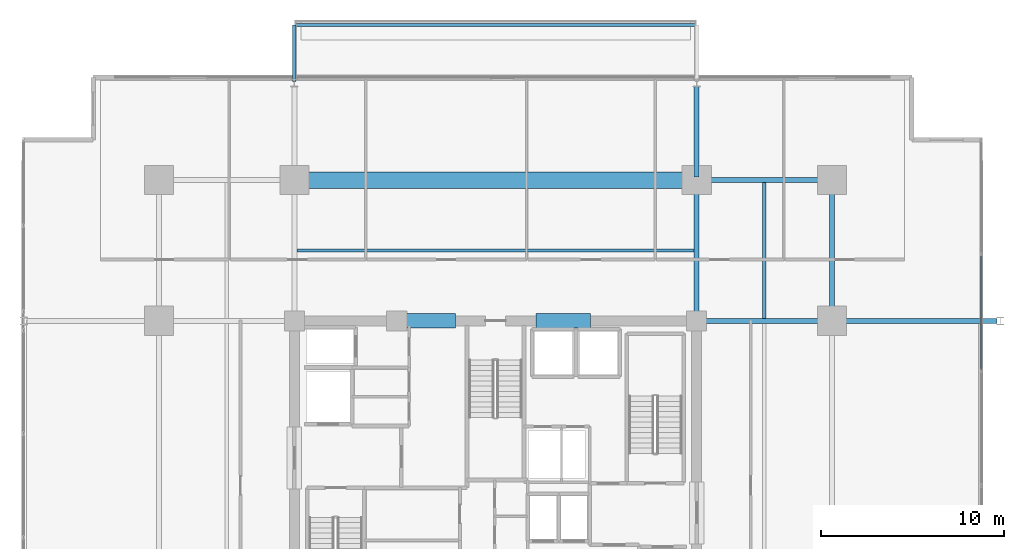
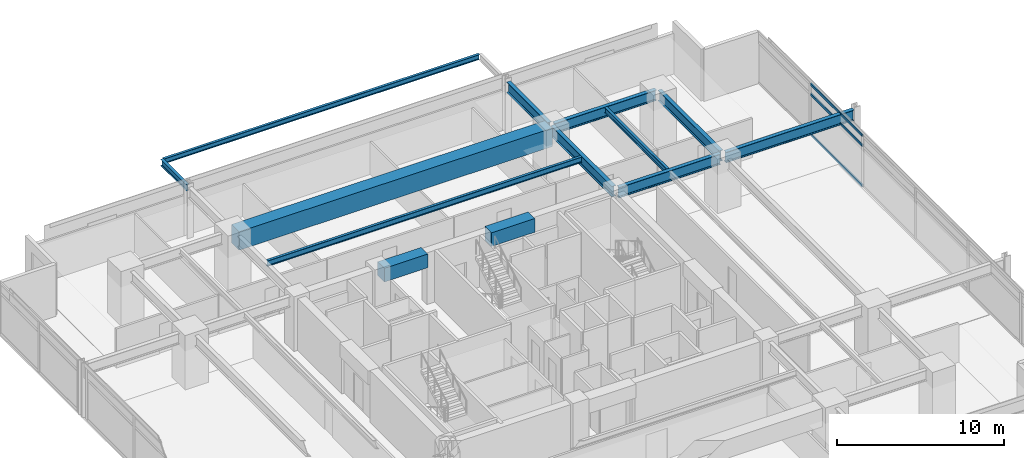
# One storey, part 12 of 23: 13 beams, 3 members, 1 element without a shape of its own.
"""IFC4 building model written with IfcOpenShell, lengths in metres."""

from ifc_helpers import new_model, si_unit, direction, frame, origin, origin_2d, place, context, subcontext, project, spatial, rectangle, hollow_rectangle, i_section, extrude, material, material_profile, profile_set, type_object, element, aggregate, save


model = new_model("IFC4")

# Units and contexts
model_context = context("Model", 3, precision=1e-05, world=origin(), true_north=direction((0.0, 1.0)))
body_context = subcontext(model_context, "Body", "Model", "MODEL_VIEW")
ifc_project = project(units=[si_unit("LENGTHUNIT", "METRE"), si_unit("AREAUNIT", "SQUARE_METRE"), si_unit("VOLUMEUNIT", "CUBIC_METRE"), si_unit("PLANEANGLEUNIT", "RADIAN"), si_unit("MASSUNIT", "GRAM", prefix="KILO")], contexts=[model_context])

# Site, building, storey
site_placement = place(None, origin())
site = spatial("IfcSite", under=ifc_project, at=site_placement, CompositionType="ELEMENT")
building_placement = place(site_placement, origin())
building = spatial("IfcBuilding", under=site, at=building_placement, Name="Kovane Verandah Tower", CompositionType="ELEMENT")
storey_placement = place(building_placement, frame((0.0, 0.0, 148.39990234375)))
storey = spatial("IfcBuildingStorey", under=building, at=storey_placement, Name="L34", CompositionType="ELEMENT", Elevation=148.39990234375)

# Beams
ifc_material_1 = material(Name="Concrete C60/75", Category="concrete")
ifc_material_profile_1 = material_profile(ifc_material_1, rectangle(XDim=0.800048828125, YDim=1.0, at=origin_2d()), Name="RCB800x1000")
ifc_profile_set_1 = profile_set([ifc_material_profile_1], Name="Concrete C60/75")
beam_type_1 = type_object("IfcBeamType", Name="BM-LINTEL-800x1000", PredefinedType="LINTEL", material=ifc_profile_set_1)
for number, where, z_axis, x_axis, name in (
    (1, (34.800048828125, 36.5, 3.275146484375), (1.0, 0.0, 0.0), (0.0, 1.0, 0.0), "L34 Core Coupling Lintel CL-N1"),
    (2, (42.199951171875, 36.5, 3.275146484375), (1.0, 0.0, 0.0), (0.0, 1.0, 0.0), "L34 Core Coupling Lintel CL-N2"),
):
    element("IfcBeam", number, at=place(storey_placement, frame(where, z_axis=z_axis, x_axis=x_axis)), inside=storey, type_object=beam_type_1, Name=name, PredefinedType="LINTEL", context=body_context, shape_type="SweptSolid", body=[
        extrude(rectangle(XDim=0.800048828125, YDim=1.0, at=origin_2d()), origin(), (0.0, 0.0, 1.0), 3.0),
    ])
ifc_material_2 = material(Name="Concrete C80/95", Category="concrete")
ifc_material_profile_2 = material_profile(ifc_material_2, rectangle(XDim=0.89990234375, YDim=1.35009765625, at=origin_2d()), Name="RCB900x1350")
ifc_profile_set_2 = profile_set([ifc_material_profile_2], Name="Concrete C80/95")
beam_type_2 = type_object("IfcBeamType", Name="BM-TR-900x1350", PredefinedType="BEAM", material=ifc_profile_set_2)
beam_1_placement = place(storey_placement, frame((29.179931640625, 44.199951171875, 3.10009765625), z_axis=(1.0, 0.0, 0.0), x_axis=(0.0, 1.0, 0.0)))
element("IfcBeam", 3, at=beam_1_placement, inside=storey, type_object=beam_type_2, Name="L34 Primary Tower Girder G-RN2", PredefinedType="BEAM", context=body_context, shape_type="SweptSolid", body=[
    extrude(rectangle(XDim=0.89990234375, YDim=1.35009765625, at=origin_2d()), origin(), (0.0, 0.0, 1.0), 21.64013671875),
])
ifc_material_3 = material(Name="Steel S355", Category="steel")
ifc_material_profile_3 = material_profile(ifc_material_3, i_section(OverallWidth=0.26806640625, OverallDepth=0.769775390625, WebThickness=0.015625, FlangeThickness=0.025390625, FilletRadius=0.0166015625, at=origin_2d()), Name="UB762x267x197")
ifc_profile_set_3 = profile_set([ifc_material_profile_3], Name="Steel S355")
beam_type_3 = type_object("IfcBeamType", Name="BM-UB762x197", PredefinedType="BEAM", material=ifc_profile_set_3)
beam_2_placement = place(storey_placement, frame((51.179931640625, 44.199951171875, 3.39013671875), z_axis=(1.0, 0.0, 0.0), x_axis=(0.0, 1.0, 0.0)))
element("IfcBeam", 4, at=beam_2_placement, inside=storey, type_object=beam_type_3, Name="L34 Primary Tower Girder G-RN3", PredefinedType="BEAM", context=body_context, shape_type="SweptSolid", body=[
    extrude(i_section(OverallWidth=0.26806640625, OverallDepth=0.769775390625, WebThickness=0.015625, FlangeThickness=0.025390625, FilletRadius=0.0166015625, at=origin_2d()), origin(), (0.0, 0.0, 1.0), 7.0400390625),
])
beam_3_placement = place(storey_placement, frame((58.39990234375, 36.679931640625, 3.39013671875), z_axis=(0.0, 1.0, 0.0), x_axis=(-1.0, 0.0, 0.0)))
element("IfcBeam", 5, at=beam_3_placement, inside=storey, type_object=beam_type_3, Name="L34 Primary Tower Girder G-RE3", PredefinedType="BEAM", context=body_context, shape_type="SweptSolid", body=[
    extrude(i_section(OverallWidth=0.26806640625, OverallDepth=0.769775390625, WebThickness=0.015625, FlangeThickness=0.025390625, FilletRadius=0.0166015625, at=origin_2d()), origin(), (0.0, 0.0, 1.0), 7.340087890625),
])
beam_4_placement = place(storey_placement, frame((51.179931640625, 36.5, 3.39013671875), z_axis=(1.0, 0.0, 0.0), x_axis=(0.0, 1.0, 0.0)))
element("IfcBeam", 6, at=beam_4_placement, inside=storey, type_object=beam_type_3, Name="L34 Primary Tower Girder G-E2", PredefinedType="BEAM", context=body_context, shape_type="SweptSolid", body=[
    extrude(i_section(OverallWidth=0.26806640625, OverallDepth=0.769775390625, WebThickness=0.015625, FlangeThickness=0.025390625, FilletRadius=0.0166015625, at=origin_2d()), origin(), (0.0, 0.0, 1.0), 7.0400390625),
])
beam_5_placement = place(storey_placement, frame((51.0, 36.679931640625, 3.39013671875), z_axis=(0.0, 1.0, 0.0), x_axis=(-1.0, 0.0, 0.0)))
element("IfcBeam", 7, at=beam_5_placement, inside=storey, type_object=beam_type_3, Name="L34 Primary Tower Girder G-N2", PredefinedType="BEAM", context=body_context, shape_type="SweptSolid", body=[
    extrude(i_section(OverallWidth=0.26806640625, OverallDepth=0.769775390625, WebThickness=0.015625, FlangeThickness=0.025390625, FilletRadius=0.0166015625, at=origin_2d()), origin(), (0.0, 0.0, 1.0), 7.340087890625),
])
beam_6_placement = place(storey_placement, frame((58.580078125, 36.5, 3.375244140625), z_axis=(1.0, 0.0, 0.0), x_axis=(0.0, 1.0, 0.0)))
element("IfcBeam", 8, at=beam_6_placement, inside=storey, type_object=beam_type_3, Name="L34 Primary Tower Girder G-VE2", PredefinedType="BEAM", context=body_context, shape_type="SweptSolid", body=[
    extrude(i_section(OverallWidth=0.26806640625, OverallDepth=0.769775390625, WebThickness=0.015625, FlangeThickness=0.025390625, FilletRadius=0.0166015625, at=origin_2d()), origin(), (0.0, 0.0, 1.0), 8.83984375),
])
beam_7_placement = place(storey_placement, frame((51.0, 44.3798828125, 3.375244140625), z_axis=(0.0, 1.0, 0.0), x_axis=(-1.0, 0.0, 0.0)))
element("IfcBeam", 9, at=beam_7_placement, inside=storey, type_object=beam_type_3, Name="L34 Primary Tower Girder G-VN2", PredefinedType="BEAM", context=body_context, shape_type="SweptSolid", body=[
    extrude(i_section(OverallWidth=0.26806640625, OverallDepth=0.769775390625, WebThickness=0.015625, FlangeThickness=0.025390625, FilletRadius=0.0166015625, at=origin_2d()), origin(), (0.0, 0.0, 1.0), 4.940185546875),
])

# Curtain wall, members
ifc_material_4 = material(Name="Champagne Anodised Aluminium Frame with Low-E Clear Laminated Glass", Category="aluminium")
curtain_wall_type = type_object("IfcCurtainWallType", Name="CW-SYS-03-MID", PredefinedType="NOTDEFINED", material=ifc_material_4)
curtain_wall_placement = place(storey_placement, origin())
curtain_wall = element("IfcCurtainWall", 10, at=curtain_wall_placement, inside=storey, type_object=curtain_wall_type, Name="L34 E Unitised Curtain Wall", PredefinedType="NOTDEFINED")
ifc_material_5 = material(Name="Champagne Anodised Aluminium 6063-T6", Category="aluminium")
ifc_material_profile_4 = material_profile(ifc_material_5, hollow_rectangle(XDim=0.0849609375, YDim=0.18994140625, WallThickness=0.00390625, at=origin_2d()), Name="AL85x190x4")
ifc_profile_set_4 = profile_set([ifc_material_profile_4], Name="Champagne Anodised Aluminium 6063-T6")
member_type = type_object("IfcMemberType", Name="CW-TRN-85x190", PredefinedType="USERDEFINED", material=ifc_profile_set_4)
member_1_placement = place(storey_placement, frame((66.5634765625, 33.851318359375, 0.050048828125), z_axis=(0.0, 1.0, 0.0), x_axis=(-1.0, 0.0, 0.0)))
member_1 = element("IfcMember", 11, at=member_1_placement, type_object=member_type, Name="L34 E Unitised Curtain Wall Transom TB Bay 5", ObjectType="TRANSOM", PredefinedType="USERDEFINED", context=body_context, shape_type="SweptSolid", body=[
    extrude(hollow_rectangle(XDim=0.0849609375, YDim=0.18994140625, WallThickness=0.00390625, at=origin_2d()), origin(), (0.0, 0.0, 1.0), 6.201171875),
])
member_2_placement = place(storey_placement, frame((66.5634765625, 33.851318359375, 2.9951171875), z_axis=(0.0, 1.0, 0.0), x_axis=(-1.0, 0.0, 0.0)))
member_2 = element("IfcMember", 12, at=member_2_placement, type_object=member_type, Name="L34 E Unitised Curtain Wall Transom TM Bay 5", ObjectType="TRANSOM", PredefinedType="USERDEFINED", context=body_context, shape_type="SweptSolid", body=[
    extrude(hollow_rectangle(XDim=0.0849609375, YDim=0.18994140625, WallThickness=0.00390625, at=origin_2d()), origin(), (0.0, 0.0, 1.0), 6.201171875),
])
member_3_placement = place(storey_placement, frame((66.5634765625, 33.851318359375, 3.72509765625), z_axis=(0.0, 1.0, 0.0), x_axis=(-1.0, 0.0, 0.0)))
member_3 = element("IfcMember", 13, at=member_3_placement, type_object=member_type, Name="L34 E Unitised Curtain Wall Transom TT Bay 5", ObjectType="TRANSOM", PredefinedType="USERDEFINED", context=body_context, shape_type="SweptSolid", body=[
    extrude(hollow_rectangle(XDim=0.0849609375, YDim=0.18994140625, WallThickness=0.00390625, at=origin_2d()), origin(), (0.0, 0.0, 1.0), 6.201171875),
])
aggregate(curtain_wall, [member_1, member_2, member_3])

# Beams
ifc_material_profile_5 = material_profile(ifc_material_3, i_section(OverallWidth=0.179443359375, OverallDepth=0.412841796875, WebThickness=0.009521484375, FlangeThickness=0.01611328125, FilletRadius=0.01025390625, at=origin_2d()), Name="UB406x178x74")
ifc_profile_set_5 = profile_set([ifc_material_profile_5], Name="Steel S355")
beam_type_4 = type_object("IfcBeamType", Name="JST-UB406x74", PredefinedType="JOIST", material=ifc_profile_set_5)
beam_8_placement = place(storey_placement, frame((29.132080078125, 40.35009765625, 3.568603515625), z_axis=(1.0, 0.0, 0.0), x_axis=(0.0, 1.0, 0.0)))
element("IfcBeam", 14, at=beam_8_placement, inside=storey, type_object=beam_type_4, Name="L34 Secondary Composite Joist J-N1", PredefinedType="JOIST", context=body_context, shape_type="SweptSolid", body=[
    extrude(i_section(OverallWidth=0.179443359375, OverallDepth=0.412841796875, WebThickness=0.009521484375, FlangeThickness=0.01611328125, FilletRadius=0.01025390625, at=origin_2d()), origin(), (0.0, 0.0, 1.0), 21.73583984375),
])
beam_9_placement = place(storey_placement, frame((54.699951171875, 36.632080078125, 3.568603515625), z_axis=(0.0, 1.0, 0.0), x_axis=(-1.0, 0.0, 0.0)))
element("IfcBeam", 15, at=beam_9_placement, inside=storey, type_object=beam_type_4, Name="L34 Secondary Composite Joist J-NE1", PredefinedType="JOIST", context=body_context, shape_type="SweptSolid", body=[
    extrude(i_section(OverallWidth=0.179443359375, OverallDepth=0.412841796875, WebThickness=0.009521484375, FlangeThickness=0.01611328125, FilletRadius=0.01025390625, at=origin_2d()), origin(), (0.0, 0.0, 1.0), 7.43603515625),
])
ifc_material_profile_6 = material_profile(ifc_material_3, i_section(OverallWidth=0.19287109375, OverallDepth=0.46728515625, WebThickness=0.011474609375, FlangeThickness=0.01953125, FilletRadius=0.01025390625, at=origin_2d()), Name="UB457x191x98")
ifc_profile_set_6 = profile_set([ifc_material_profile_6], Name="Steel S355")
beam_type_5 = type_object("IfcBeamType", Name="JST-UB457x98", PredefinedType="JOIST", material=ifc_profile_set_6)
beam_10_placement = place(storey_placement, frame((29.0, 49.580078125, 3.526611328125), z_axis=(0.0, 1.0, 0.0), x_axis=(-1.0, 0.0, 0.0)))
element("IfcBeam", 16, at=beam_10_placement, inside=storey, type_object=beam_type_5, Name="L34 North Planter Girder 1", PredefinedType="JOIST", context=body_context, shape_type="SweptSolid", body=[
    extrude(i_section(OverallWidth=0.19287109375, OverallDepth=0.46728515625, WebThickness=0.011474609375, FlangeThickness=0.01953125, FilletRadius=0.01025390625, at=origin_2d()), origin(), (0.0, 0.0, 1.0), 3.09716796875),
])
ifc_material_profile_7 = material_profile(ifc_material_3, i_section(OverallWidth=0.173095703125, OverallDepth=0.36328125, WebThickness=0.009033203125, FlangeThickness=0.015625, FilletRadius=0.01025390625, at=origin_2d()), Name="UB356x171x67")
ifc_profile_set_7 = profile_set([ifc_material_profile_7], Name="Steel S355")
beam_type_6 = type_object("IfcBeamType", Name="SPD-UB356x67", PredefinedType="USERDEFINED", material=ifc_profile_set_7)
beam_11_placement = place(storey_placement, frame((29.094482421875, 52.67724609375, 3.578369140625), z_axis=(1.0, 0.0, 0.0), x_axis=(0.0, 1.0, 0.0)))
element("IfcBeam", 17, at=beam_11_placement, inside=storey, type_object=beam_type_6, Name="L34 North Planter Edge Spandrel", ObjectType="SPANDREL", PredefinedType="USERDEFINED", context=body_context, shape_type="SweptSolid", body=[
    extrude(i_section(OverallWidth=0.173095703125, OverallDepth=0.36328125, WebThickness=0.009033203125, FlangeThickness=0.015625, FilletRadius=0.01025390625, at=origin_2d()), origin(), (0.0, 0.0, 1.0), 21.81103515625),
])

save(model, "model.ifc")
